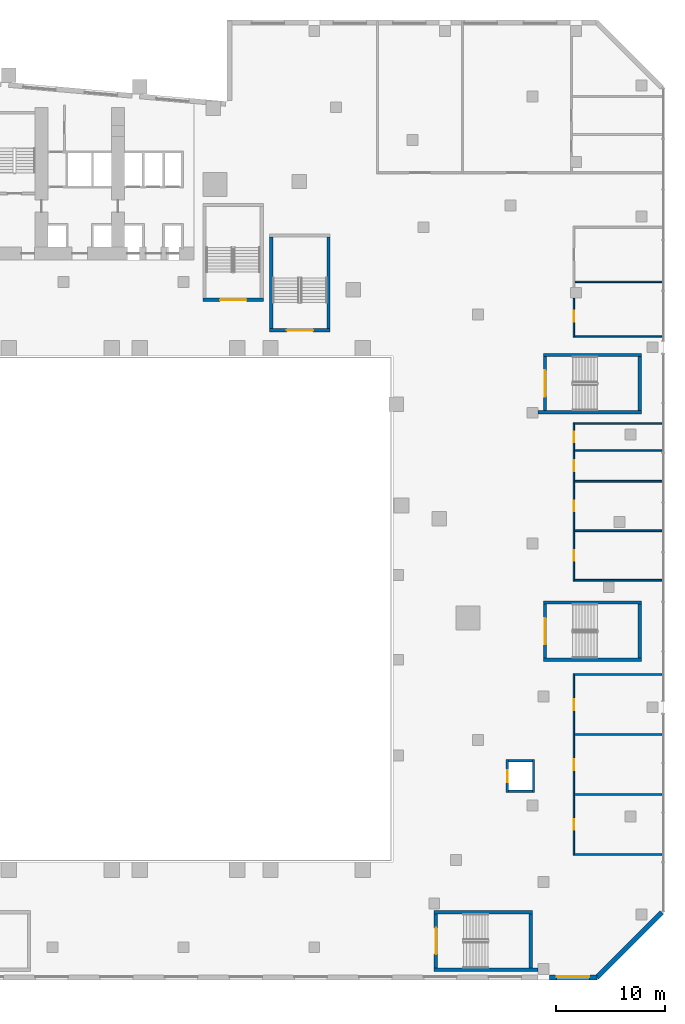
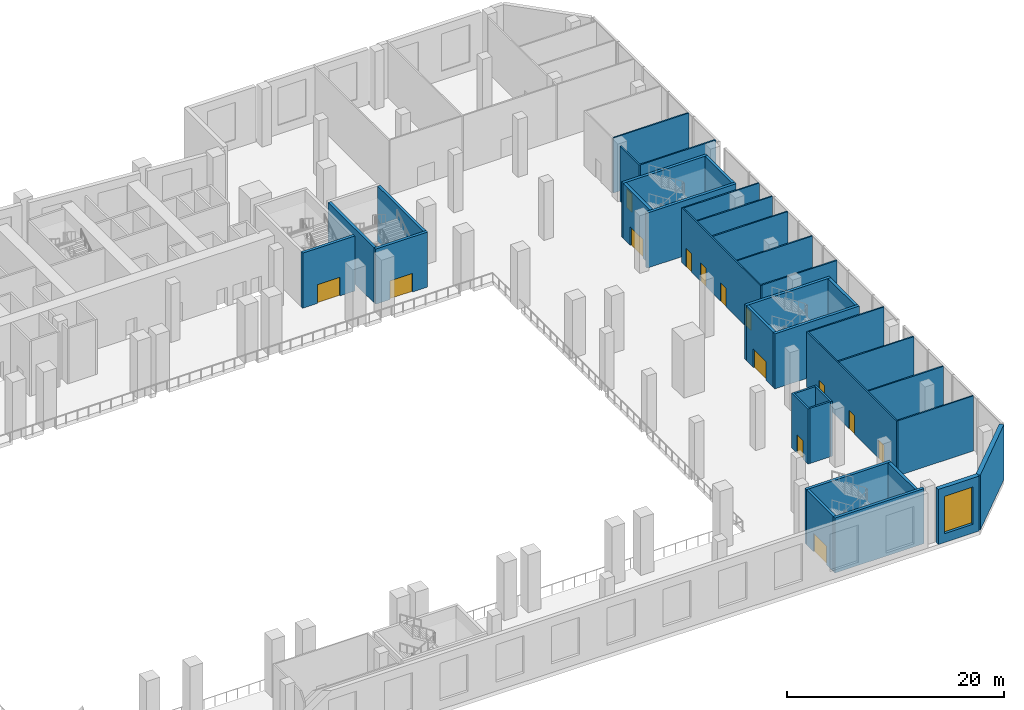
# One storey, part 13 of 30: 36 walls, 14 doors, 1 window, 15 openings.
"""IFC4 building model written with IfcOpenShell, lengths in metres."""

from ifc_helpers import new_model, si_unit, direction, frame, frame_2d, origin, place, context, subcontext, project, spatial, rectangle, extrude, material, layer, layer_set, type_object, element, fill, save


model = new_model("IFC4")

# Units and contexts
model_context = context("Model", 3, precision=1e-05, world=origin(), true_north=direction((0.0, 1.0)))
body_context = subcontext(model_context, "Body", "Model", "MODEL_VIEW")
ifc_project = project(units=[si_unit("LENGTHUNIT", "METRE"), si_unit("AREAUNIT", "SQUARE_METRE"), si_unit("VOLUMEUNIT", "CUBIC_METRE"), si_unit("PLANEANGLEUNIT", "RADIAN"), si_unit("MASSUNIT", "GRAM", prefix="KILO")], contexts=[model_context])

# Site, building, storey
site_placement = place(None, origin())
site = spatial("IfcSite", under=ifc_project, at=site_placement, CompositionType="ELEMENT")
building_placement = place(site_placement, origin())
building = spatial("IfcBuilding", under=site, at=building_placement, Name="Wharfspan Tower", CompositionType="ELEMENT")
storey_placement = place(building_placement, frame((0.0, 0.0, 15.0)))
storey = spatial("IfcBuildingStorey", under=building, at=storey_placement, Name="L02", CompositionType="ELEMENT", Elevation=15.0)

# Walls
ifc_material_1 = material(Name="Calcium silicate masonry", Category="masonry")
ifc_layer_1 = layer(ifc_material_1, 0.149902)
ifc_layer_set_1 = layer_set([ifc_layer_1], Name="Calcium silicate masonry")
wall_type_1 = type_object("IfcWallType", Name="Podium room wall 150", PredefinedType="PARTITIONING", material=ifc_layer_set_1)
for number, where, z_axis, x_axis, name in (
    (1, (99.875, -20.5, 0.0), (0.0, 0.0, 1.0), (1.0, 0.0, 0.0), "iw:L02:2"),
    (2, (99.875, -15.0, 0.0), (0.0, 0.0, 1.0), (1.0, 0.0, 0.0), "iw:L02:7"),
    (3, (99.875, -9.5, 0.0), (0.0, 0.0, 1.0), (1.0, 0.0, 0.0), "iw:L02:9"),
    (4, (99.875, -4.0, 0.0), (0.0, 0.0, 1.0), (1.0, 0.0, 0.0), "iw:L02:11"),
    (5, (99.875, 19.0, 0.0), (0.0, 0.0, 1.0), (1.0, 0.0, 0.0), "iw:L02:17"),
    (6, (99.875, 4.649902, 0.0), (0.0, 0.0, 1.0), (1.0, 0.0, 0.0), "iw:L02:18"),
    (7, (99.875, 9.181885, 0.0), (0.0, 0.0, 1.0), (1.0, 0.0, 0.0), "iw:L02:19"),
):
    element("IfcWall", number, at=place(storey_placement, frame(where, z_axis=z_axis, x_axis=x_axis)), inside=storey, type_object=wall_type_1, Name=name, PredefinedType="PARTITIONING", context=body_context, shape_type="SweptSolid", body=[
        extrude(rectangle(XDim=8.02002, YDim=0.149902, at=frame_2d((4.01001, 0.0))), origin(), (0.0, 0.0, 1.0), 6.199951),
    ])

# Wall, openings, doors
wall_1_placement = place(storey_placement, frame((99.800049, -20.574951, 0.0), z_axis=(0.0, 0.0, 1.0), x_axis=(0.0, 1.0, 0.0)))
wall_1 = element("IfcWall", 8, at=wall_1_placement, inside=storey, type_object=wall_type_1, Name="iw:L02:20", PredefinedType="PARTITIONING", context=body_context, shape_type="SweptSolid", body=[
    extrude(rectangle(XDim=16.649902, YDim=0.149902, at=frame_2d((8.324951, 0.0))), origin(), (0.0, 0.0, 1.0), 6.199951),
])
opening_1_placement = place(wall_1_placement, frame((2.324951, 0.0, 0.0)))
opening_1 = element("IfcOpeningElement", 9, at=opening_1_placement, cuts=wall_1, Name="Opening PD02.15", PredefinedType="OPENING", context=body_context, shape_type="SweptSolid", body=[
    extrude(rectangle(XDim=1.0, YDim=2.100098, at=frame_2d((0.5, 1.050049))), frame((0.0, 0.084961, 0.0), z_axis=(0.0, -1.0, 0.0), x_axis=(1.0, 0.0, 0.0)), (0.0, 0.0, 1.0), 0.169922),
])
opening_2_placement = place(wall_1_placement, frame((7.824951, 0.0, 0.0)))
opening_2 = element("IfcOpeningElement", 10, at=opening_2_placement, cuts=wall_1, Name="Opening PD02.16", PredefinedType="OPENING", context=body_context, shape_type="SweptSolid", body=[
    extrude(rectangle(XDim=1.0, YDim=2.100098, at=frame_2d((0.5, 1.050049))), frame((0.0, 0.084961, 0.0), z_axis=(0.0, -1.0, 0.0), x_axis=(1.0, 0.0, 0.0)), (0.0, 0.0, 1.0), 0.169922),
])
opening_3_placement = place(wall_1_placement, frame((13.324951, 0.0, 0.0)))
opening_3 = element("IfcOpeningElement", 11, at=opening_3_placement, cuts=wall_1, Name="Opening PD02.17", PredefinedType="OPENING", context=body_context, shape_type="SweptSolid", body=[
    extrude(rectangle(XDim=1.0, YDim=2.100098, at=frame_2d((0.5, 1.050049))), frame((0.0, 0.084961, 0.0), z_axis=(0.0, -1.0, 0.0), x_axis=(1.0, 0.0, 0.0)), (0.0, 0.0, 1.0), 0.169922),
])
ifc_material_2 = material(Name="Steel door leaf", Category="steel")
door_type_1 = type_object("IfcDoorType", Name="Podium room door 1000x2100", OperationType="SINGLE_SWING_LEFT", PredefinedType="DOOR", material=ifc_material_2)
door_1_placement = place(opening_1_placement, origin())
door_1 = element("IfcDoor", 12, at=door_1_placement, inside=storey, type_object=door_type_1, Name="id:L02:15", OperationType="SINGLE_SWING_RIGHT", OverallHeight=2.100098, OverallWidth=1.0, PredefinedType="DOOR", context=body_context, shape_type="SweptSolid", body=[
    extrude(rectangle(XDim=1.0, YDim=2.100098, at=frame_2d((0.5, 1.050049))), frame((0.0, 0.024902, 0.0), z_axis=(0.0, -1.0, 0.0), x_axis=(1.0, 0.0, 0.0)), (0.0, 0.0, 1.0), 0.050049),
])
fill(opening_1, door_1)
door_2_placement = place(opening_2_placement, origin())
door_2 = element("IfcDoor", 13, at=door_2_placement, inside=storey, type_object=door_type_1, Name="id:L02:16", OperationType="SINGLE_SWING_LEFT", OverallHeight=2.100098, OverallWidth=1.0, PredefinedType="DOOR", context=body_context, shape_type="SweptSolid", body=[
    extrude(rectangle(XDim=1.0, YDim=2.100098, at=frame_2d((0.5, 1.050049))), frame((0.0, 0.024902, 0.0), z_axis=(0.0, -1.0, 0.0), x_axis=(1.0, 0.0, 0.0)), (0.0, 0.0, 1.0), 0.050049),
])
fill(opening_2, door_2)
door_3_placement = place(opening_3_placement, origin())
door_3 = element("IfcDoor", 14, at=door_3_placement, inside=storey, type_object=door_type_1, Name="id:L02:17", OperationType="SINGLE_SWING_RIGHT", OverallHeight=2.100098, OverallWidth=1.0, PredefinedType="DOOR", context=body_context, shape_type="SweptSolid", body=[
    extrude(rectangle(XDim=1.0, YDim=2.100098, at=frame_2d((0.5, 1.050049))), frame((0.0, 0.024902, 0.0), z_axis=(0.0, -1.0, 0.0), x_axis=(1.0, 0.0, 0.0)), (0.0, 0.0, 1.0), 0.050049),
])
fill(opening_3, door_3)

wall_2_placement = place(storey_placement, frame((99.800049, 4.574951, 0.0), z_axis=(0.0, 0.0, 1.0), x_axis=(0.0, 1.0, 0.0)))
wall_2 = element("IfcWall", 15, at=wall_2_placement, inside=storey, type_object=wall_type_1, Name="iw:L02:21", PredefinedType="PARTITIONING", context=body_context, shape_type="SweptSolid", body=[
    extrude(rectangle(XDim=14.5, YDim=0.149902, at=frame_2d((7.25, 0.0))), origin(), (0.0, 0.0, 1.0), 6.199951),
])
opening_4_placement = place(wall_2_placement, frame((1.84082, 0.0, 0.0)))
opening_4 = element("IfcOpeningElement", 16, at=opening_4_placement, cuts=wall_2, Name="Opening PD02.8", PredefinedType="OPENING", context=body_context, shape_type="SweptSolid", body=[
    extrude(rectangle(XDim=1.0, YDim=2.100098, at=frame_2d((0.5, 1.050049))), frame((0.0, 0.084961, 0.0), z_axis=(0.0, -1.0, 0.0), x_axis=(1.0, 0.0, 0.0)), (0.0, 0.0, 1.0), 0.169922),
])
opening_5_placement = place(wall_2_placement, frame((6.372314, 0.0, 0.0)))
opening_5 = element("IfcOpeningElement", 17, at=opening_5_placement, cuts=wall_2, Name="Opening PD02.9", PredefinedType="OPENING", context=body_context, shape_type="SweptSolid", body=[
    extrude(rectangle(XDim=1.0, YDim=2.100098, at=frame_2d((0.5, 1.050049))), frame((0.0, 0.084961, 0.0), z_axis=(0.0, -1.0, 0.0), x_axis=(1.0, 0.0, 0.0)), (0.0, 0.0, 1.0), 0.169922),
])
opening_6_placement = place(wall_2_placement, frame((10.054199, 0.0, 0.0)))
opening_6 = element("IfcOpeningElement", 18, at=opening_6_placement, cuts=wall_2, Name="Opening PD02.10", PredefinedType="OPENING", context=body_context, shape_type="SweptSolid", body=[
    extrude(rectangle(XDim=1.0, YDim=2.100098, at=frame_2d((0.5, 1.050049))), frame((0.0, 0.084961, 0.0), z_axis=(0.0, -1.0, 0.0), x_axis=(1.0, 0.0, 0.0)), (0.0, 0.0, 1.0), 0.169922),
])
opening_7_placement = place(wall_2_placement, frame((12.697754, 0.0, 0.0)))
opening_7 = element("IfcOpeningElement", 19, at=opening_7_placement, cuts=wall_2, Name="Opening PD02.11", PredefinedType="OPENING", context=body_context, shape_type="SweptSolid", body=[
    extrude(rectangle(XDim=1.0, YDim=2.100098, at=frame_2d((0.5, 1.050049))), frame((0.0, 0.084961, 0.0), z_axis=(0.0, -1.0, 0.0), x_axis=(1.0, 0.0, 0.0)), (0.0, 0.0, 1.0), 0.169922),
])
door_4_placement = place(opening_4_placement, origin())
door_4 = element("IfcDoor", 20, at=door_4_placement, inside=storey, type_object=door_type_1, Name="id:L02:8", OperationType="SINGLE_SWING_LEFT", OverallHeight=2.100098, OverallWidth=1.0, PredefinedType="DOOR", context=body_context, shape_type="SweptSolid", body=[
    extrude(rectangle(XDim=1.0, YDim=2.100098, at=frame_2d((0.5, 1.050049))), frame((0.0, 0.024902, 0.0), z_axis=(0.0, -1.0, 0.0), x_axis=(1.0, 0.0, 0.0)), (0.0, 0.0, 1.0), 0.050049),
])
fill(opening_4, door_4)
door_5_placement = place(opening_5_placement, origin())
door_5 = element("IfcDoor", 21, at=door_5_placement, inside=storey, type_object=door_type_1, Name="id:L02:9", OperationType="SINGLE_SWING_RIGHT", OverallHeight=2.100098, OverallWidth=1.0, PredefinedType="DOOR", context=body_context, shape_type="SweptSolid", body=[
    extrude(rectangle(XDim=1.0, YDim=2.100098, at=frame_2d((0.5, 1.050049))), frame((0.0, 0.024902, 0.0), z_axis=(0.0, -1.0, 0.0), x_axis=(1.0, 0.0, 0.0)), (0.0, 0.0, 1.0), 0.050049),
])
fill(opening_5, door_5)
door_6_placement = place(opening_6_placement, origin())
door_6 = element("IfcDoor", 22, at=door_6_placement, inside=storey, type_object=door_type_1, Name="id:L02:10", OperationType="SINGLE_SWING_LEFT", OverallHeight=2.100098, OverallWidth=1.0, PredefinedType="DOOR", context=body_context, shape_type="SweptSolid", body=[
    extrude(rectangle(XDim=1.0, YDim=2.100098, at=frame_2d((0.5, 1.050049))), frame((0.0, 0.024902, 0.0), z_axis=(0.0, -1.0, 0.0), x_axis=(1.0, 0.0, 0.0)), (0.0, 0.0, 1.0), 0.050049),
])
fill(opening_6, door_6)
door_7_placement = place(opening_7_placement, origin())
door_7 = element("IfcDoor", 23, at=door_7_placement, inside=storey, type_object=door_type_1, Name="id:L02:11", OperationType="SINGLE_SWING_RIGHT", OverallHeight=2.100098, OverallWidth=1.0, PredefinedType="DOOR", context=body_context, shape_type="SweptSolid", body=[
    extrude(rectangle(XDim=1.0, YDim=2.100098, at=frame_2d((0.5, 1.050049))), frame((0.0, 0.024902, 0.0), z_axis=(0.0, -1.0, 0.0), x_axis=(1.0, 0.0, 0.0)), (0.0, 0.0, 1.0), 0.050049),
])
fill(opening_7, door_7)

# Wall, opening, door
wall_3_placement = place(storey_placement, frame((99.800049, 26.925049, 0.0), z_axis=(0.0, 0.0, 1.0), x_axis=(0.0, 1.0, 0.0)))
wall_3 = element("IfcWall", 24, at=wall_3_placement, inside=storey, type_object=wall_type_1, Name="iw:L02:22", PredefinedType="PARTITIONING", context=body_context, shape_type="SweptSolid", body=[
    extrude(rectangle(XDim=3.564941, YDim=0.149902, at=frame_2d((1.782471, 0.0))), origin(), (0.0, 0.0, 1.0), 6.199951),
])
opening_8_placement = place(wall_3_placement, frame((1.419922, 0.0, 0.0)))
opening_8 = element("IfcOpeningElement", 25, at=opening_8_placement, cuts=wall_3, Name="Opening PD02.18", PredefinedType="OPENING", context=body_context, shape_type="SweptSolid", body=[
    extrude(rectangle(XDim=1.0, YDim=2.100098, at=frame_2d((0.5, 1.050049))), frame((0.0, 0.084961, 0.0), z_axis=(0.0, -1.0, 0.0), x_axis=(1.0, 0.0, 0.0)), (0.0, 0.0, 1.0), 0.169922),
])
door_8_placement = place(opening_8_placement, origin())
door_8 = element("IfcDoor", 26, at=door_8_placement, inside=storey, type_object=door_type_1, Name="id:L02:18", OperationType="SINGLE_SWING_LEFT", OverallHeight=2.100098, OverallWidth=1.0, PredefinedType="DOOR", context=body_context, shape_type="SweptSolid", body=[
    extrude(rectangle(XDim=1.0, YDim=2.100098, at=frame_2d((0.5, 1.050049))), frame((0.0, 0.024902, 0.0), z_axis=(0.0, -1.0, 0.0), x_axis=(1.0, 0.0, 0.0)), (0.0, 0.0, 1.0), 0.050049),
])
fill(opening_8, door_8)

# Walls
for number, where, z_axis, x_axis, name in (
    (27, (99.875, 13.712891, 0.0), (0.0, 0.0, 1.0), (1.0, 0.0, 0.0), "iw:L02:24"),
    (28, (99.875, 16.544922, 0.0), (0.0, 0.0, 1.0), (1.0, 0.0, 0.0), "iw:L02:25"),
    (29, (99.875, 27.0, 0.0), (0.0, 0.0, 1.0), (1.0, 0.0, 0.0), "iw:L02:31"),
    (30, (99.875, 32.0, 0.0), (0.0, 0.0, 1.0), (1.0, 0.0, 0.0), "iw:L02:32"),
):
    element("IfcWall", number, at=place(storey_placement, frame(where, z_axis=z_axis, x_axis=x_axis)), inside=storey, type_object=wall_type_1, Name=name, PredefinedType="PARTITIONING", context=body_context, shape_type="SweptSolid", body=[
        extrude(rectangle(XDim=8.02002, YDim=0.149902, at=frame_2d((4.01001, 0.0))), origin(), (0.0, 0.0, 1.0), 6.199951),
    ])

# Wall, opening, door
ifc_material_3 = material(Name="Concrete C30/37", Category="concrete")
ifc_layer_2 = layer(ifc_material_3, 0.199951)
ifc_layer_set_2 = layer_set([ifc_layer_2], Name="Concrete C30/37")
wall_type_2 = type_object("IfcWallType", Name="Podium shaft wall 200", PredefinedType="PARTITIONING", material=ifc_layer_set_2)
wall_4_placement = place(storey_placement, frame((93.699951, -14.800049, 0.0), z_axis=(0.0, 0.0, 1.0), x_axis=(0.0, 1.0, 0.0)))
wall_4 = element("IfcWall", 31, at=wall_4_placement, inside=storey, type_object=wall_type_2, Name="pl:LP4:L02:W", PredefinedType="PARTITIONING", context=body_context, shape_type="SweptSolid", body=[
    extrude(rectangle(XDim=3.0, YDim=0.199951, at=frame_2d((1.5, 0.0))), origin(), (0.0, 0.0, 1.0), 6.199951),
])
opening_9_placement = place(wall_4_placement, frame((0.949951, 0.0, 0.0)))
opening_9 = element("IfcOpeningElement", 32, at=opening_9_placement, cuts=wall_4, Name="Opening LDP4.L02", PredefinedType="OPENING", context=body_context, shape_type="SweptSolid", body=[
    extrude(rectangle(XDim=1.100098, YDim=2.100098, at=frame_2d((0.550049, 1.050049))), frame((0.0, 0.109863, 0.0), z_axis=(0.0, -1.0, 0.0), x_axis=(1.0, 0.0, 0.0)), (0.0, 0.0, 1.0), 0.219971),
])
ifc_material_4 = material(Name="Stainless steel", Category="steel")
door_type_2 = type_object("IfcDoorType", Name="Podium lift landing door 1100x2100", OperationType="DOUBLE_DOOR_SLIDING", PredefinedType="DOOR", material=ifc_material_4)
door_9_placement = place(opening_9_placement, origin())
door_9 = element("IfcDoor", 33, at=door_9_placement, inside=storey, type_object=door_type_2, Name="Landing door LP4 L02", OperationType="DOUBLE_DOOR_SLIDING", OverallHeight=2.100098, OverallWidth=1.100098, PredefinedType="DOOR", context=body_context, shape_type="SweptSolid", body=[
    extrude(rectangle(XDim=1.100098, YDim=2.100098, at=frame_2d((0.550049, 1.050049))), frame((0.0, 0.024902, 0.0), z_axis=(0.0, -1.0, 0.0), x_axis=(1.0, 0.0, 0.0)), (0.0, 0.0, 1.0), 0.050049),
])
fill(opening_9, door_9)

# Walls
wall_5_placement = place(storey_placement, frame((96.100098, -14.800049, 0.0), z_axis=(0.0, 0.0, 1.0), x_axis=(0.0, 1.0, 0.0)))
element("IfcWall", 34, at=wall_5_placement, inside=storey, type_object=wall_type_2, Name="pl:LP4:L02:E", PredefinedType="PARTITIONING", context=body_context, shape_type="SweptSolid", body=[
    extrude(rectangle(XDim=3.0, YDim=0.199951, at=frame_2d((1.5, 0.0))), origin(), (0.0, 0.0, 1.0), 6.199951),
])
for number, where, z_axis, x_axis, name in (
    (35, (93.800049, -14.699951, 0.0), (0.0, 0.0, 1.0), (1.0, 0.0, 0.0), "pl:LP4:L02:S"),
    (36, (93.800049, -11.899902, 0.0), (0.0, 0.0, 1.0), (1.0, 0.0, 0.0), "pl:LP4:L02:N"),
):
    element("IfcWall", number, at=place(storey_placement, frame(where, z_axis=z_axis, x_axis=x_axis)), inside=storey, type_object=wall_type_2, Name=name, PredefinedType="PARTITIONING", context=body_context, shape_type="SweptSolid", body=[
        extrude(rectangle(XDim=2.199951, YDim=0.199951, at=frame_2d((1.100098, 0.0))), origin(), (0.0, 0.0, 1.0), 6.199951),
    ])
ifc_material_5 = material(Name="Concrete C40/50", Category="concrete")
ifc_layer_3 = layer(ifc_material_5, 0.300049)
ifc_layer_set_3 = layer_set([ifc_layer_3], Name="Concrete C40/50")
wall_type_3 = type_object("IfcWallType", Name="Podium stair core wall 300", PredefinedType="SHEAR", material=ifc_layer_set_3)
wall_6_placement = place(storey_placement, frame((87.0, -31.050049, 0.0), z_axis=(0.0, 0.0, 1.0), x_axis=(1.0, 0.0, 0.0)))
element("IfcWall", 37, at=wall_6_placement, inside=storey, type_object=wall_type_3, Name="iw:L02:AS2S", PredefinedType="SHEAR", context=body_context, shape_type="SweptSolid", body=[
    extrude(rectangle(XDim=9.5, YDim=0.300049, at=frame_2d((4.75, 0.0))), origin(), (0.0, 0.0, 1.0), 6.199951),
])
wall_7_placement = place(storey_placement, frame((87.0, -25.800049, 0.0), z_axis=(0.0, 0.0, 1.0), x_axis=(1.0, 0.0, 0.0)))
element("IfcWall", 38, at=wall_7_placement, inside=storey, type_object=wall_type_3, Name="iw:L02:AS2N", PredefinedType="SHEAR", context=body_context, shape_type="SweptSolid", body=[
    extrude(rectangle(XDim=9.0, YDim=0.300049, at=frame_2d((4.5, 0.0))), origin(), (0.0, 0.0, 1.0), 6.199951),
])

# Wall, opening, door
wall_8_placement = place(storey_placement, frame((87.149902, -30.899902, 0.0), z_axis=(0.0, 0.0, 1.0), x_axis=(0.0, 1.0, 0.0)))
wall_8 = element("IfcWall", 39, at=wall_8_placement, inside=storey, type_object=wall_type_3, Name="iw:L02:AS2W", PredefinedType="SHEAR", context=body_context, shape_type="SweptSolid", body=[
    extrude(rectangle(XDim=4.949951, YDim=0.300049, at=frame_2d((2.475098, 0.0))), origin(), (0.0, 0.0, 1.0), 6.199951),
])
opening_10_placement = place(wall_8_placement, frame((1.274902, 0.0, 0.0)))
opening_10 = element("IfcOpeningElement", 40, at=opening_10_placement, cuts=wall_8, Name="Opening SDAS2.L02", PredefinedType="OPENING", context=body_context, shape_type="SweptSolid", body=[
    extrude(rectangle(XDim=2.399902, YDim=2.100098, at=frame_2d((1.199951, 1.050049))), frame((0.0, 0.159912, 0.0), z_axis=(0.0, -1.0, 0.0), x_axis=(1.0, 0.0, 0.0)), (0.0, 0.0, 1.0), 0.320068),
])
door_type_3 = type_object("IfcDoorType", Name="Podium stair door 2400x2100", OperationType="DOUBLE_DOOR_SINGLE_SWING", PredefinedType="DOOR", material=ifc_material_2)
door_10_placement = place(opening_10_placement, origin())
door_10 = element("IfcDoor", 41, at=door_10_placement, inside=storey, type_object=door_type_3, Name="id:L02:AS2", OperationType="DOUBLE_DOOR_SINGLE_SWING", OverallHeight=2.100098, OverallWidth=2.399902, PredefinedType="DOOR", context=body_context, shape_type="SweptSolid", body=[
    extrude(rectangle(XDim=2.399902, YDim=2.100098, at=frame_2d((1.199951, 1.050049))), frame((0.0, 0.024902, 0.0), z_axis=(0.0, -1.0, 0.0), x_axis=(1.0, 0.0, 0.0)), (0.0, 0.0, 1.0), 0.050049),
])
fill(opening_10, door_10)

# Walls
wall_9_placement = place(storey_placement, frame((95.850098, -30.899902, 0.0), z_axis=(0.0, 0.0, 1.0), x_axis=(0.0, 1.0, 0.0)))
element("IfcWall", 42, at=wall_9_placement, inside=storey, type_object=wall_type_3, Name="iw:L02:AS2E", PredefinedType="SHEAR", context=body_context, shape_type="SweptSolid", body=[
    extrude(rectangle(XDim=4.949951, YDim=0.300049, at=frame_2d((2.475098, 0.0))), origin(), (0.0, 0.0, 1.0), 6.199951),
])
for number, where, z_axis, x_axis, name in (
    (43, (97.0, -2.649902, 0.0), (0.0, 0.0, 1.0), (1.0, 0.0, 0.0), "iw:L02:AS8S"),
    (44, (97.0, 2.600098, 0.0), (0.0, 0.0, 1.0), (1.0, 0.0, 0.0), "iw:L02:AS8N"),
):
    element("IfcWall", number, at=place(storey_placement, frame(where, z_axis=z_axis, x_axis=x_axis)), inside=storey, type_object=wall_type_3, Name=name, PredefinedType="SHEAR", context=body_context, shape_type="SweptSolid", body=[
        extrude(rectangle(XDim=9.0, YDim=0.300049, at=frame_2d((4.5, 0.0))), origin(), (0.0, 0.0, 1.0), 6.199951),
    ])

# Wall, opening, door
wall_10_placement = place(storey_placement, frame((97.149902, -2.5, 0.0), z_axis=(0.0, 0.0, 1.0), x_axis=(0.0, 1.0, 0.0)))
wall_10 = element("IfcWall", 45, at=wall_10_placement, inside=storey, type_object=wall_type_3, Name="iw:L02:AS8W", PredefinedType="SHEAR", context=body_context, shape_type="SweptSolid", body=[
    extrude(rectangle(XDim=4.949951, YDim=0.300049, at=frame_2d((2.475098, 0.0))), origin(), (0.0, 0.0, 1.0), 6.199951),
])
opening_11_placement = place(wall_10_placement, frame((1.274902, 0.0, 0.0)))
opening_11 = element("IfcOpeningElement", 46, at=opening_11_placement, cuts=wall_10, Name="Opening SDAS8.L02", PredefinedType="OPENING", context=body_context, shape_type="SweptSolid", body=[
    extrude(rectangle(XDim=2.399902, YDim=2.100098, at=frame_2d((1.199951, 1.050049))), frame((0.0, 0.159912, 0.0), z_axis=(0.0, -1.0, 0.0), x_axis=(1.0, 0.0, 0.0)), (0.0, 0.0, 1.0), 0.320068),
])
door_11_placement = place(opening_11_placement, origin())
door_11 = element("IfcDoor", 47, at=door_11_placement, inside=storey, type_object=door_type_3, Name="id:L02:AS8", OperationType="DOUBLE_DOOR_SINGLE_SWING", OverallHeight=2.100098, OverallWidth=2.399902, PredefinedType="DOOR", context=body_context, shape_type="SweptSolid", body=[
    extrude(rectangle(XDim=2.399902, YDim=2.100098, at=frame_2d((1.199951, 1.050049))), frame((0.0, 0.024902, 0.0), z_axis=(0.0, -1.0, 0.0), x_axis=(1.0, 0.0, 0.0)), (0.0, 0.0, 1.0), 0.050049),
])
fill(opening_11, door_11)

# Walls
wall_11_placement = place(storey_placement, frame((105.850098, -2.5, 0.0), z_axis=(0.0, 0.0, 1.0), x_axis=(0.0, 1.0, 0.0)))
element("IfcWall", 48, at=wall_11_placement, inside=storey, type_object=wall_type_3, Name="iw:L02:AS8E", PredefinedType="SHEAR", context=body_context, shape_type="SweptSolid", body=[
    extrude(rectangle(XDim=4.949951, YDim=0.300049, at=frame_2d((2.475098, 0.0))), origin(), (0.0, 0.0, 1.0), 6.199951),
])
wall_12_placement = place(storey_placement, frame((96.5, 20.050049, 0.0), z_axis=(0.0, 0.0, 1.0), x_axis=(1.0, 0.0, 0.0)))
element("IfcWall", 49, at=wall_12_placement, inside=storey, type_object=wall_type_3, Name="iw:L02:AS4S", PredefinedType="SHEAR", context=body_context, shape_type="SweptSolid", body=[
    extrude(rectangle(XDim=9.5, YDim=0.300049, at=frame_2d((4.75, 0.0))), origin(), (0.0, 0.0, 1.0), 6.199951),
])
wall_13_placement = place(storey_placement, frame((97.0, 25.300049, 0.0), z_axis=(0.0, 0.0, 1.0), x_axis=(1.0, 0.0, 0.0)))
element("IfcWall", 50, at=wall_13_placement, inside=storey, type_object=wall_type_3, Name="iw:L02:AS4N", PredefinedType="SHEAR", context=body_context, shape_type="SweptSolid", body=[
    extrude(rectangle(XDim=9.0, YDim=0.300049, at=frame_2d((4.5, 0.0))), origin(), (0.0, 0.0, 1.0), 6.199951),
])

# Wall, opening, door
wall_14_placement = place(storey_placement, frame((97.149902, 20.199951, 0.0), z_axis=(0.0, 0.0, 1.0), x_axis=(0.0, 1.0, 0.0)))
wall_14 = element("IfcWall", 51, at=wall_14_placement, inside=storey, type_object=wall_type_3, Name="iw:L02:AS4W", PredefinedType="SHEAR", context=body_context, shape_type="SweptSolid", body=[
    extrude(rectangle(XDim=4.949951, YDim=0.300049, at=frame_2d((2.475098, 0.0))), origin(), (0.0, 0.0, 1.0), 6.199951),
])
opening_12_placement = place(wall_14_placement, frame((1.274902, 0.0, 0.0)))
opening_12 = element("IfcOpeningElement", 52, at=opening_12_placement, cuts=wall_14, Name="Opening SDAS4.L02", PredefinedType="OPENING", context=body_context, shape_type="SweptSolid", body=[
    extrude(rectangle(XDim=2.399902, YDim=2.100098, at=frame_2d((1.199951, 1.050049))), frame((0.0, 0.159912, 0.0), z_axis=(0.0, -1.0, 0.0), x_axis=(1.0, 0.0, 0.0)), (0.0, 0.0, 1.0), 0.320068),
])
door_12_placement = place(opening_12_placement, origin())
door_12 = element("IfcDoor", 53, at=door_12_placement, inside=storey, type_object=door_type_3, Name="id:L02:AS4", OperationType="DOUBLE_DOOR_SINGLE_SWING", OverallHeight=2.100098, OverallWidth=2.399902, PredefinedType="DOOR", context=body_context, shape_type="SweptSolid", body=[
    extrude(rectangle(XDim=2.399902, YDim=2.100098, at=frame_2d((1.199951, 1.050049))), frame((0.0, 0.024902, 0.0), z_axis=(0.0, -1.0, 0.0), x_axis=(1.0, 0.0, 0.0)), (0.0, 0.0, 1.0), 0.050049),
])
fill(opening_12, door_12)

# Wall
wall_15_placement = place(storey_placement, frame((105.850098, 20.199951, 0.0), z_axis=(0.0, 0.0, 1.0), x_axis=(0.0, 1.0, 0.0)))
element("IfcWall", 54, at=wall_15_placement, inside=storey, type_object=wall_type_3, Name="iw:L02:AS4E", PredefinedType="SHEAR", context=body_context, shape_type="SweptSolid", body=[
    extrude(rectangle(XDim=4.949951, YDim=0.300049, at=frame_2d((2.475098, 0.0))), origin(), (0.0, 0.0, 1.0), 6.199951),
])

# Wall, opening, door
wall_16_placement = place(storey_placement, frame((65.800049, 30.350098, 0.0), z_axis=(0.0, 0.0, 1.0), x_axis=(1.0, 0.0, 0.0)))
wall_16 = element("IfcWall", 55, at=wall_16_placement, inside=storey, type_object=wall_type_3, Name="iw:L02:PS4S", PredefinedType="SHEAR", context=body_context, shape_type="SweptSolid", body=[
    extrude(rectangle(XDim=5.550049, YDim=0.300049, at=frame_2d((2.774902, 0.0))), origin(), (0.0, 0.0, 1.0), 6.199951),
])
opening_13_placement = place(wall_16_placement, frame((1.574951, 0.0, 0.0)))
opening_13 = element("IfcOpeningElement", 56, at=opening_13_placement, cuts=wall_16, Name="Opening SDPS4.L02", PredefinedType="OPENING", context=body_context, shape_type="SweptSolid", body=[
    extrude(rectangle(XDim=2.399902, YDim=2.100098, at=frame_2d((1.199951, 1.050049))), frame((0.0, 0.159912, 0.0), z_axis=(0.0, -1.0, 0.0), x_axis=(1.0, 0.0, 0.0)), (0.0, 0.0, 1.0), 0.320068),
])
door_13_placement = place(opening_13_placement, origin())
door_13 = element("IfcDoor", 57, at=door_13_placement, inside=storey, type_object=door_type_3, Name="id:L02:PS4", OperationType="DOUBLE_DOOR_SINGLE_SWING", OverallHeight=2.100098, OverallWidth=2.399902, PredefinedType="DOOR", context=body_context, shape_type="SweptSolid", body=[
    extrude(rectangle(XDim=2.399902, YDim=2.100098, at=frame_2d((1.199951, 1.050049))), frame((0.0, 0.024902, 0.0), z_axis=(0.0, -1.0, 0.0), x_axis=(1.0, 0.0, 0.0)), (0.0, 0.0, 1.0), 0.050049),
])
fill(opening_13, door_13)

wall_17_placement = place(storey_placement, frame((71.91748, 27.550049, 0.0), z_axis=(0.0, 0.0, 1.0), x_axis=(1.0, 0.0, 0.0)))
wall_17 = element("IfcWall", 58, at=wall_17_placement, inside=storey, type_object=wall_type_3, Name="iw:L02:PS5S", PredefinedType="SHEAR", context=body_context, shape_type="SweptSolid", body=[
    extrude(rectangle(XDim=5.550049, YDim=0.300049, at=frame_2d((2.774902, 0.0))), origin(), (0.0, 0.0, 1.0), 6.199951),
])
opening_14_placement = place(wall_17_placement, frame((1.574951, 0.0, 0.0)))
opening_14 = element("IfcOpeningElement", 59, at=opening_14_placement, cuts=wall_17, Name="Opening SDPS5.L02", PredefinedType="OPENING", context=body_context, shape_type="SweptSolid", body=[
    extrude(rectangle(XDim=2.399902, YDim=2.100098, at=frame_2d((1.199951, 1.050049))), frame((0.0, 0.159912, 0.0), z_axis=(0.0, -1.0, 0.0), x_axis=(1.0, 0.0, 0.0)), (0.0, 0.0, 1.0), 0.320068),
])
door_14_placement = place(opening_14_placement, origin())
door_14 = element("IfcDoor", 60, at=door_14_placement, inside=storey, type_object=door_type_3, Name="id:L02:PS5", OperationType="DOUBLE_DOOR_SINGLE_SWING", OverallHeight=2.100098, OverallWidth=2.399902, PredefinedType="DOOR", context=body_context, shape_type="SweptSolid", body=[
    extrude(rectangle(XDim=2.399902, YDim=2.100098, at=frame_2d((1.199951, 1.050049))), frame((0.0, 0.024902, 0.0), z_axis=(0.0, -1.0, 0.0), x_axis=(1.0, 0.0, 0.0)), (0.0, 0.0, 1.0), 0.050049),
])
fill(opening_14, door_14)

# Walls
for number, where, z_axis, x_axis, name in (
    (61, (72.067383, 27.699951, 0.0), (0.0, 0.0, 1.0), (0.0, 1.0, 0.0), "iw:L02:PS5W"),
    (62, (77.317383, 27.699951, 0.0), (0.0, 0.0, 1.0), (0.0, 1.0, 0.0), "iw:L02:PS5E"),
):
    element("IfcWall", number, at=place(storey_placement, frame(where, z_axis=z_axis, x_axis=x_axis)), inside=storey, type_object=wall_type_3, Name=name, PredefinedType="SHEAR", context=body_context, shape_type="SweptSolid", body=[
        extrude(rectangle(XDim=8.400146, YDim=0.300049, at=frame_2d((4.200195, 0.0))), origin(), (0.0, 0.0, 1.0), 6.199951),
    ])

# Wall, opening, window
ifc_layer_4 = layer(ifc_material_5, 0.449951)
ifc_layer_set_4 = layer_set([ifc_layer_4], Name="Concrete C40/50")
wall_type_4 = type_object("IfcWallType", Name="WALL BOARD-MARKED CONCRETE 450", PredefinedType="SOLIDWALL", material=ifc_layer_set_4)
wall_18_placement = place(storey_placement, frame((97.550049, -31.774902, 0.0), z_axis=(0.0, 0.0, 1.0), x_axis=(1.0, 0.0, 0.0)))
wall_18 = element("IfcWall", 63, at=wall_18_placement, inside=storey, type_object=wall_type_4, Name="Podium wall PF1", PredefinedType="SOLIDWALL", context=body_context, shape_type="SweptSolid", body=[
    extrude(rectangle(XDim=4.349854, YDim=0.449951, at=frame_2d((2.174805, 0.0))), origin(), (0.0, 0.0, 1.0), 6.199951),
])
opening_15_placement = place(wall_18_placement, frame((0.675049, 0.0, 1.0)))
opening_15 = element("IfcOpeningElement", 64, at=opening_15_placement, cuts=wall_18, Name="Opening EWN2", PredefinedType="OPENING", context=body_context, shape_type="SweptSolid", body=[
    extrude(rectangle(XDim=3.0, YDim=4.199951, at=frame_2d((1.5, 2.100098))), frame((0.0, 0.234863, 0.0), z_axis=(0.0, -1.0, 0.0), x_axis=(1.0, 0.0, 0.0)), (0.0, 0.0, 1.0), 0.469971),
])
ifc_material_6 = material(Name="Aluminium 6063-T6", Category="aluminium")
window_type = type_object("IfcWindowType", Name="WINDOW 3000x4200", PartitioningType="SINGLE_PANEL", PredefinedType="WINDOW", material=ifc_material_6)
window_placement = place(opening_15_placement, origin())
window = element("IfcWindow", 65, at=window_placement, inside=storey, type_object=window_type, Name="Podium window", OverallHeight=4.199951, OverallWidth=3.0, PartitioningType="SINGLE_PANEL", PredefinedType="WINDOW", context=body_context, shape_type="SweptSolid", body=[
    extrude(rectangle(XDim=3.0, YDim=4.199951, at=frame_2d((1.5, 2.100098))), frame((0.0, 0.10498, 0.0), z_axis=(0.0, -1.0, 0.0), x_axis=(1.0, 0.0, 0.0)), (0.0, 0.0, 1.0), 0.060059),
])
fill(opening_15, window)

# Wall
wall_19_placement = place(storey_placement, frame((101.911621, -31.770264, 0.0), z_axis=(0.0, 0.0, 1.0), x_axis=(0.707092, 0.707121, 0.0)))
element("IfcWall", 66, at=wall_19_placement, inside=storey, type_object=wall_type_4, Name="Podium wall PF2", PredefinedType="SOLIDWALL", context=body_context, shape_type="SweptSolid", body=[
    extrude(rectangle(XDim=8.425293, YDim=0.449951, at=frame_2d((4.212646, 0.0))), origin(), (0.0, 0.0, 1.0), 6.199951),
])

save(model, "model.ifc")
